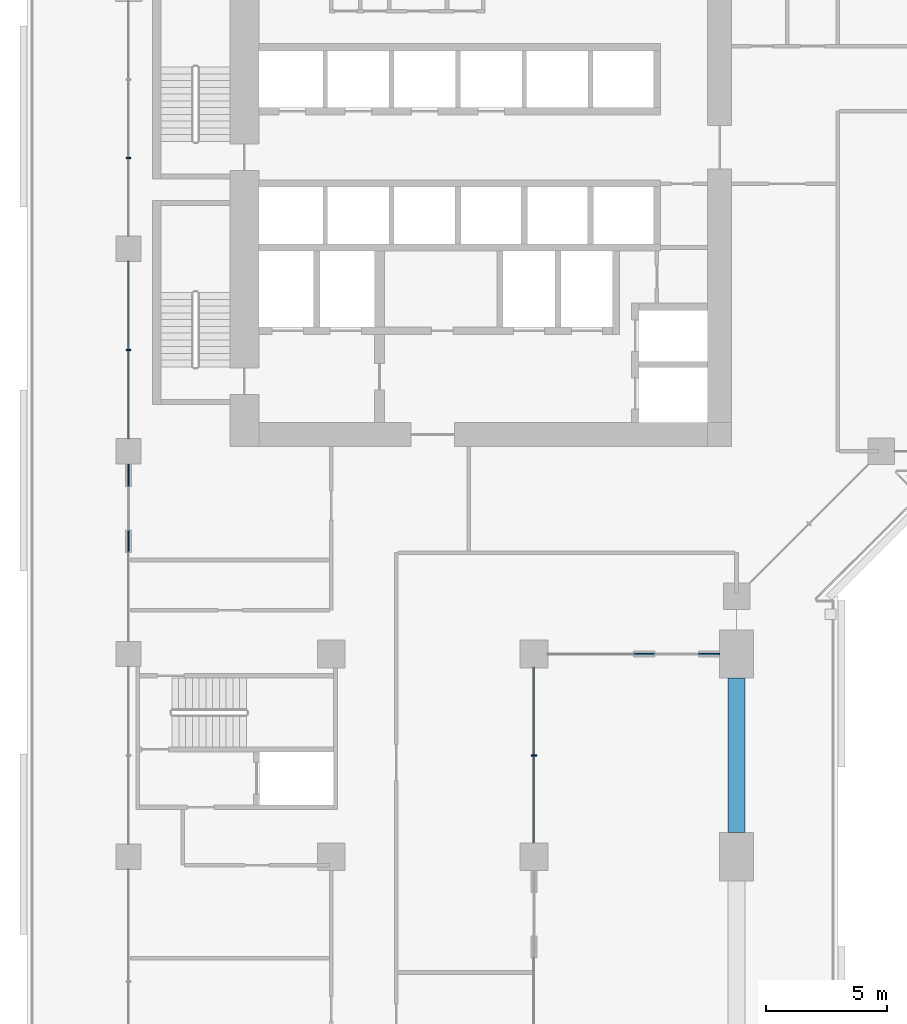
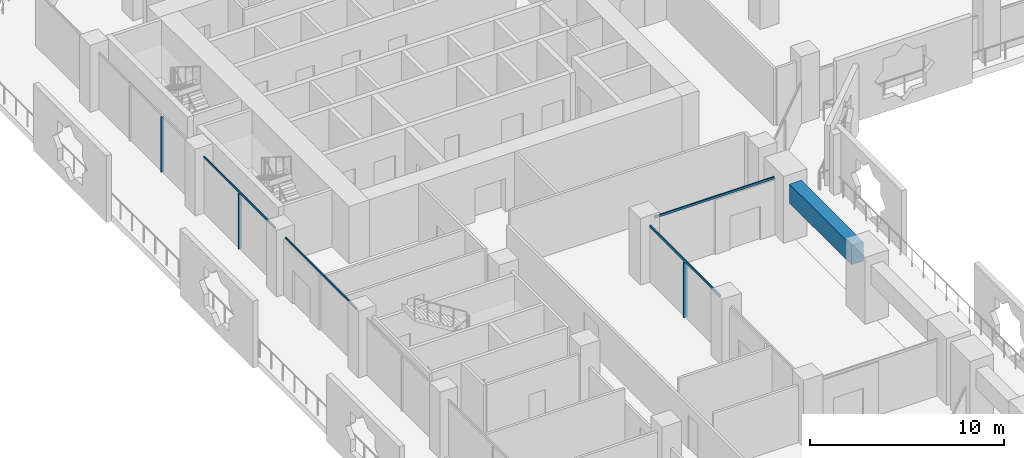
# One storey, part 4 of 25: 7 members, 1 beam, 3 elements without a shape of their own.
"""IFC4 building model written with IfcOpenShell, lengths in metres."""

import ifcopenshell
import ifcopenshell.guid

model = None  # the IFC model being written
_history = None  # IfcOwnerHistory: only IFC2X3 demands one
_inside = {}  # id of a spatial element -> (the spatial element, [elements in it])
_under = {}  # id of a project, library or spatial element -> (it, [spatial elements below it])
_declared = {}  # id of a project -> (the project, [libraries it declares])
_typed = {}  # id of a type object -> (the type object, [elements of that type])
_made_of = {}  # id of a material, layer set ... -> (it, [elements and type objects made of it])


def new_model(schema):
    """Start an empty IFC model of exactly this schema.

    Asked for "IFC4X3", IfcOpenShell would pick the latest addendum, in which some entities
    have other attributes; the version numbers below select the first issue.
    IFC2X3 requires an IfcOwnerHistory on every rooted entity: one is made here for all.
    """
    global model, _history
    if schema == "IFC4X3":
        model = ifcopenshell.file(schema_version=(4, 3, 0, 0))
    else:
        model = ifcopenshell.file(schema=schema)
    _inside.clear()
    _under.clear()
    _declared.clear()
    _typed.clear()
    _made_of.clear()
    _history = None
    if model.schema == "IFC2X3":
        org = make("IfcOrganization", Name="unknown")
        user = make(
            "IfcPersonAndOrganization",
            ThePerson=make("IfcPerson", FamilyName="unknown"),
            TheOrganization=org,
        )
        app = make(
            "IfcApplication",
            ApplicationDeveloper=org,
            Version="unknown",
            ApplicationFullName="unknown",
            ApplicationIdentifier="unknown",
        )
        _history = make(
            "IfcOwnerHistory",
            OwningUser=user,
            OwningApplication=app,
            ChangeAction="ADDED",
            CreationDate=0,
        )
    return model


def make(cls, **values):
    """One entity of the class cls with the attributes given. An attribute that is None is left unset."""
    return model.create_entity(
        cls, **{name: value for name, value in values.items() if value is not None}
    )


def rooted(cls, **values):
    """An entity with a GlobalId (a new one), such as an element, a storey or a relation."""
    return make(cls, GlobalId=ifcopenshell.guid.new(), OwnerHistory=_history, **values)


def si_unit(unit_type, name, prefix=None):
    """IfcSIUnit, for example si_unit("LENGTHUNIT", "METRE", prefix="MILLI")."""
    return make("IfcSIUnit", UnitType=unit_type, Prefix=prefix, Name=name)


def assignment(units):
    """IfcUnitAssignment: the units of a project."""
    return None if units is None else make("IfcUnitAssignment", Units=units)


def point(xyz):
    """IfcCartesianPoint."""
    return None if xyz is None else make("IfcCartesianPoint", Coordinates=xyz)


def direction(xyz):
    """IfcDirection."""
    return None if xyz is None else make("IfcDirection", DirectionRatios=xyz)


def frame(location, z_axis=None, x_axis=None):
    """IfcAxis2Placement3D, a coordinate frame: its origin and axes. An axis left out is left unset."""
    return make(
        "IfcAxis2Placement3D",
        Location=point(location),
        Axis=direction(z_axis),
        RefDirection=direction(x_axis),
    )


def frame_2d(location, x_axis=None):
    """IfcAxis2Placement2D, a coordinate frame in the plane: its origin and x axis."""
    return make(
        "IfcAxis2Placement2D", Location=point(location), RefDirection=direction(x_axis)
    )


def origin():
    """The frame at (0, 0, 0) with its axes left unset."""
    return frame((0.0, 0.0, 0.0))


def origin_2d():
    """The frame at (0, 0) in the plane with its x axis left unset."""
    return frame_2d((0.0, 0.0))


def place(relative_to, where):
    """IfcLocalPlacement: puts the frame where relative to a parent placement (None: the world)."""
    return make(
        "IfcLocalPlacement", PlacementRelTo=relative_to, RelativePlacement=where
    )


def context(
    kind, dimensions, precision=None, world=None, true_north=None, identifier=None
):
    """IfcGeometricRepresentationContext, for example the 3D "Model" context."""
    return make(
        "IfcGeometricRepresentationContext",
        ContextIdentifier=identifier,
        ContextType=kind,
        CoordinateSpaceDimension=dimensions,
        Precision=precision,
        WorldCoordinateSystem=world,
        TrueNorth=true_north,
    )


def subcontext(parent, identifier, kind, view, scale=None):
    """IfcGeometricRepresentationSubContext, for example "Body" below "Model"."""
    return make(
        "IfcGeometricRepresentationSubContext",
        ContextIdentifier=identifier,
        ContextType=kind,
        ParentContext=parent,
        TargetScale=scale,
        TargetView=view,
    )


def project(units=None, contexts=None):
    """IfcProject with its units and contexts."""
    return rooted(
        "IfcProject",
        Name="project",
        RepresentationContexts=contexts,
        UnitsInContext=assignment(units),
    )


def spatial(cls, under=None, at=None, **own):
    """A site, building, storey or space (cls), placed at a placement, below another one or the project."""
    s = rooted(cls, ObjectPlacement=at, **own)
    if under is not None:
        _under.setdefault(under.id(), (under, []))[1].append(s)
    return s


def profile(cls, at=None, kind="AREA", **sizes):
    """A parametric profile (cls). Its sizes go by their IFC names, for example OverallWidth=200.0."""
    return make(cls, ProfileType=kind, Position=at, **sizes)


def rectangle(**sizes):
    """IfcRectangleProfileDef."""
    return profile("IfcRectangleProfileDef", **sizes)


def extrude(swept, where, along, depth):
    """IfcExtrudedAreaSolid: the profile swept, set in the frame where, extruded along a direction by depth."""
    return make(
        "IfcExtrudedAreaSolid",
        SweptArea=swept,
        Position=where,
        ExtrudedDirection=direction(along),
        Depth=depth,
    )


def shape(context_of_items, identifier, shape_type, items):
    """IfcShapeRepresentation: the items that make up one representation, for example the "Body"."""
    return make(
        "IfcShapeRepresentation",
        ContextOfItems=context_of_items,
        RepresentationIdentifier=identifier,
        RepresentationType=shape_type,
        Items=items,
    )


def material(Name=None, Category=None):
    """IfcMaterial."""
    return make("IfcMaterial", Name=Name, Category=Category)


def layer(
    of_material, thickness, ventilated=None, Name=None, Category=None, Priority=None
):
    """IfcMaterialLayer: one layer of a wall or slab, of a material (None: an air gap)."""
    return make(
        "IfcMaterialLayer",
        Material=of_material,
        LayerThickness=thickness,
        IsVentilated=ventilated,
        Name=Name,
        Category=Category,
        Priority=Priority,
    )


def layer_set(layers, Name=None):
    """IfcMaterialLayerSet."""
    return make("IfcMaterialLayerSet", MaterialLayers=layers, LayerSetName=Name)


def material_profile(
    of_material, cross_section, Name=None, Category=None, Priority=None
):
    """IfcMaterialProfile: a cross section and its material."""
    return make(
        "IfcMaterialProfile",
        Name=Name,
        Material=of_material,
        Profile=cross_section,
        Priority=Priority,
        Category=Category,
    )


def profile_set(profiles, Name=None, composite=None):
    """IfcMaterialProfileSet."""
    return make(
        "IfcMaterialProfileSet",
        Name=Name,
        MaterialProfiles=profiles,
        CompositeProfile=composite,
    )


def made_of(thing, what):
    """Note that an element or type object is made of a material, layer set ...; save() writes the relation."""
    if what is not None:
        _made_of.setdefault(what.id(), (what, []))[1].append(thing)
    return thing


def type_object(cls, material=None, **own):
    """A type object (cls), such as IfcWallType, which elements share."""
    return made_of(rooted(cls, **own), material)


def element(
    cls,
    number,
    at=None,
    inside=None,
    cuts=None,
    type_object=None,
    material=None,
    context=None,
    identifier="Body",
    shape_type=None,
    held_by="IfcProductDefinitionShape",
    body=None,
    shapes=None,
    **own,
):
    """One element of the class cls, such as IfcWall. Its Tag is "e" and its number.

    at: its placement. inside: the storey or other place that contains it. cuts: it is an
    opening in that element (IfcRelVoidsElement). A single representation is given by context,
    identifier, shape_type and body (its items); several are given by shapes. held_by: the class
    of the entity that holds the representations. save() writes the other relations.
    """
    e = rooted(cls, Tag="e%d" % number, ObjectPlacement=at, **own)
    if body is not None:
        shapes = [shape(context, identifier, shape_type, body)]
    if shapes is not None:
        e.Representation = make(held_by, Representations=shapes)
    if inside is not None:
        _inside.setdefault(inside.id(), (inside, []))[1].append(e)
    if cuts is not None:
        rooted(
            "IfcRelVoidsElement", RelatingBuildingElement=cuts, RelatedOpeningElement=e
        )
    if type_object is not None:
        _typed.setdefault(type_object.id(), (type_object, []))[1].append(e)
    return made_of(e, material)


def aggregate(whole, parts):
    """IfcRelAggregates: a whole, such as a stair, and the parts it consists of."""
    return rooted("IfcRelAggregates", RelatingObject=whole, RelatedObjects=parts)


def save(model, path):
    """Write the relations noted so far, then the file.

    IfcRelAggregates (storeys below a building ...), IfcRelContainedInSpatialStructure (elements
    in a storey), IfcRelDefinesByType, IfcRelAssociatesMaterial and IfcRelDeclares: one each for
    every whole, place, type object, material and project.
    """
    for whole, parts in _under.values():
        aggregate(whole, parts)
    for where, things in _inside.values():
        rooted(
            "IfcRelContainedInSpatialStructure",
            RelatedElements=things,
            RelatingStructure=where,
        )
    for kind, things in _typed.values():
        rooted("IfcRelDefinesByType", RelatedObjects=things, RelatingType=kind)
    for what, things in _made_of.values():
        rooted("IfcRelAssociatesMaterial", RelatedObjects=things, RelatingMaterial=what)
    for by, libraries in _declared.values():
        rooted("IfcRelDeclares", RelatingContext=by, RelatedDefinitions=libraries)
    model.write(path)


model = new_model("IFC4")

# Units and contexts
model_context = context("Model", 3, precision=1e-05, world=origin(), true_north=direction((0.0, 1.0)))
body_context = subcontext(model_context, "Body", "Model", "MODEL_VIEW")
ifc_project = project(units=[si_unit("LENGTHUNIT", "METRE"), si_unit("AREAUNIT", "SQUARE_METRE"), si_unit("VOLUMEUNIT", "CUBIC_METRE"), si_unit("PLANEANGLEUNIT", "RADIAN"), si_unit("MASSUNIT", "GRAM", prefix="KILO")], contexts=[model_context])

# Site, building, storey
site_placement = place(None, origin())
site = spatial("IfcSite", under=ifc_project, at=site_placement, CompositionType="ELEMENT")
building_placement = place(site_placement, origin())
building = spatial("IfcBuilding", under=site, at=building_placement, Name="Kawkab Arch Medical Tower", CompositionType="ELEMENT")
storey_placement = place(building_placement, frame((0.0, 0.0, 98.800048828125)))
storey = spatial("IfcBuildingStorey", under=building, at=storey_placement, Name="L22", CompositionType="ELEMENT", Elevation=98.800048828125)

# Curtain wall, members
ifc_material_1 = material(Name="Bronze anodised aluminium curtain wall frame", Category="aluminium")
ifc_layer_1 = layer(ifc_material_1, 0.159912109375)
ifc_layer_set_1 = layer_set([ifc_layer_1], Name="Bronze anodised aluminium curtain wall frame")
curtain_wall_type_1 = type_object("IfcCurtainWallType", Name="CW1 ward curtain wall", PredefinedType="NOTDEFINED", material=ifc_layer_set_1)
placement = place(storey_placement, origin())
curtain_wall_1 = element("IfcCurtainWall", 1, at=placement, inside=storey, type_object=curtain_wall_type_1, Name="CW1 Ward curtain wall R13", PredefinedType="NOTDEFINED")
ifc_material_2 = material(Name="Bronze anodised aluminium curtain wall frame", Category="aluminium")
ifc_material_profile_1 = material_profile(ifc_material_2, rectangle(XDim=0.179931640625, YDim=0.06005859375, at=origin_2d()), Name="AL 60x180")
ifc_profile_set_1 = profile_set([ifc_material_profile_1], Name="Bronze anodised aluminium curtain wall frame")
member_type_1 = type_object("IfcMemberType", Name="CW1 mullion 60 x 180", PredefinedType="MULLION", material=ifc_profile_set_1)
member_1_placement = place(storey_placement, frame((0.0, -13.033447265625, 0.0), z_axis=(0.0, 0.0, 1.0), x_axis=(1.0, 0.0, 0.0)))
member_1 = element("IfcMember", 2, at=member_1_placement, type_object=member_type_1, Name="CW1 mullion 2.2", PredefinedType="MULLION", context=body_context, shape_type="SweptSolid", body=[
    extrude(rectangle(XDim=0.179931640625, YDim=0.06005859375, at=origin_2d()), origin(), (0.0, 0.0, 1.0), 3.47998046875),
])
member_2_placement = place(storey_placement, frame((0.0, -21.0, 0.0), z_axis=(0.0, 0.0, 1.0), x_axis=(1.0, 0.0, 0.0)))
member_2 = element("IfcMember", 3, at=member_2_placement, type_object=member_type_1, Name="CW1 mullion 3.1", PredefinedType="MULLION", context=body_context, shape_type="SweptSolid", body=[
    extrude(rectangle(XDim=0.179931640625, YDim=0.06005859375, at=origin_2d()), origin(), (0.0, 0.0, 1.0), 3.47998046875),
])
ifc_material_3 = material(Name="Bronze anodised aluminium curtain wall frame", Category="aluminium")
ifc_material_profile_2 = material_profile(ifc_material_3, rectangle(XDim=0.06005859375, YDim=0.1201171875, at=origin_2d()), Name="AL 60x120")
ifc_profile_set_2 = profile_set([ifc_material_profile_2], Name="Bronze anodised aluminium curtain wall frame")
member_type_2 = type_object("IfcMemberType", Name="CW1 transom 120 x 60", PredefinedType="USERDEFINED", material=ifc_profile_set_2)
member_3_placement = place(storey_placement, frame((0.0, -17.324951171875, 3.5400390625), z_axis=(0.0, -1.0, 0.0), x_axis=(1.0, 0.0, 0.0)))
member_3 = element("IfcMember", 4, at=member_3_placement, type_object=member_type_2, Name="CW1 transom 3", ObjectType="TRANSOM", PredefinedType="USERDEFINED", context=body_context, shape_type="SweptSolid", body=[
    extrude(rectangle(XDim=0.06005859375, YDim=0.1201171875, at=origin_2d()), origin(), (0.0, 0.0, 1.0), 7.35009765625),
])
member_4_placement = place(storey_placement, frame((0.0, -25.72509765625, 3.5400390625), z_axis=(0.0, -1.0, 0.0), x_axis=(1.0, 0.0, 0.0)))
member_4 = element("IfcMember", 5, at=member_4_placement, type_object=member_type_2, Name="CW1 transom 4", ObjectType="TRANSOM", PredefinedType="USERDEFINED", context=body_context, shape_type="SweptSolid", body=[
    extrude(rectangle(XDim=0.06005859375, YDim=0.1201171875, at=origin_2d()), origin(), (0.0, 0.0, 1.0), 7.349853515625),
])
aggregate(curtain_wall_1, [member_1, member_3, member_2, member_4])

ifc_material_4 = material(Name="Bronze anodised aluminium curtain wall frame", Category="aluminium")
ifc_layer_2 = layer(ifc_material_4, 0.159912109375)
ifc_layer_set_2 = layer_set([ifc_layer_2], Name="Bronze anodised aluminium curtain wall frame")
curtain_wall_type_2 = type_object("IfcCurtainWallType", Name="CW3 sky garden curtain wall", PredefinedType="NOTDEFINED", material=ifc_layer_set_2)
curtain_wall_2 = element("IfcCurtainWall", 6, at=placement, inside=storey, type_object=curtain_wall_type_2, Name="CW3 Sky garden curtain wall R03", PredefinedType="NOTDEFINED")
ifc_material_5 = material(Name="Bronze anodised aluminium curtain wall frame", Category="aluminium")
ifc_material_profile_3 = material_profile(ifc_material_5, rectangle(XDim=0.219970703125, YDim=0.070068359375, at=origin_2d()), Name="AL 70x220")
ifc_profile_set_3 = profile_set([ifc_material_profile_3], Name="Bronze anodised aluminium curtain wall frame")
member_type_3 = type_object("IfcMemberType", Name="CW3 mullion 70 x 220", PredefinedType="MULLION", material=ifc_profile_set_3)
member_5_placement = place(storey_placement, frame((16.800048828125, -37.800048828125, 0.0), z_axis=(0.0, 0.0, 1.0), x_axis=(-1.0, 0.0, 0.0)))
member_5 = element("IfcMember", 7, at=member_5_placement, type_object=member_type_3, Name="CW3 mullion 2.1", PredefinedType="MULLION", context=body_context, shape_type="SweptSolid", body=[
    extrude(rectangle(XDim=0.219970703125, YDim=0.070068359375, at=origin_2d()), origin(), (0.0, 0.0, 1.0), 3.4599609375),
])
ifc_material_6 = material(Name="Bronze anodised aluminium curtain wall frame", Category="aluminium")
ifc_material_profile_4 = material_profile(ifc_material_6, rectangle(XDim=0.070068359375, YDim=0.139892578125, at=origin_2d()), Name="AL 70x140")
ifc_profile_set_4 = profile_set([ifc_material_profile_4], Name="Bronze anodised aluminium curtain wall frame")
member_type_4 = type_object("IfcMemberType", Name="CW3 transom 140 x 70", PredefinedType="USERDEFINED", material=ifc_profile_set_4)
member_6_placement = place(storey_placement, frame((16.800048828125, -41.425048828125, 3.530029296875), z_axis=(0.0, 1.0, 0.0), x_axis=(-1.0, 0.0, 0.0)))
member_6 = element("IfcMember", 8, at=member_6_placement, type_object=member_type_4, Name="CW3 transom 2", ObjectType="TRANSOM", PredefinedType="USERDEFINED", context=body_context, shape_type="SweptSolid", body=[
    extrude(rectangle(XDim=0.070068359375, YDim=0.139892578125, at=origin_2d()), origin(), (0.0, 0.0, 1.0), 7.25),
])
aggregate(curtain_wall_2, [member_6, member_5])

# Curtain wall, member
curtain_wall_3 = element("IfcCurtainWall", 9, at=placement, inside=storey, type_object=curtain_wall_type_2, Name="CW3 Sky garden curtain wall R04", PredefinedType="NOTDEFINED")
member_7_placement = place(storey_placement, frame((17.375, -33.60009765625, 3.530029296875), z_axis=(1.0, 0.0, 0.0), x_axis=(0.0, 1.0, 0.0)))
member_7 = element("IfcMember", 10, at=member_7_placement, type_object=member_type_4, Name="CW3 transom 1", ObjectType="TRANSOM", PredefinedType="USERDEFINED", context=body_context, shape_type="SweptSolid", body=[
    extrude(rectangle(XDim=0.070068359375, YDim=0.139892578125, at=origin_2d()), origin(), (0.0, 0.0, 1.0), 7.125),
])
aggregate(curtain_wall_3, [member_7])

# Beam
ifc_material_7 = material(Name="Concrete C55/67", Category="concrete")
ifc_material_profile_5 = material_profile(ifc_material_7, rectangle(XDim=0.699951171875, YDim=1.199951171875, at=origin_2d()), Name="RC 700x1200")
ifc_profile_set_5 = profile_set([ifc_material_profile_5], Name="Concrete C55/67")
beam_type = type_object("IfcBeamType", Name="RC 700x1200 beam C55/67", PredefinedType="BEAM", material=ifc_profile_set_5)
beam_placement = place(storey_placement, frame((25.199951171875, -34.60009765625, 3.0), z_axis=(0.0, -1.0, 0.0), x_axis=(1.0, 0.0, 0.0)))
element("IfcBeam", 11, at=beam_placement, inside=storey, type_object=beam_type, Name="Terrace frame beam TF-L22-2-L23-01", PredefinedType="BEAM", context=body_context, shape_type="SweptSolid", body=[
    extrude(rectangle(XDim=0.699951171875, YDim=1.199951171875, at=origin_2d()), origin(), (0.0, 0.0, 1.0), 6.39990234375),
])

save(model, "model.ifc")
